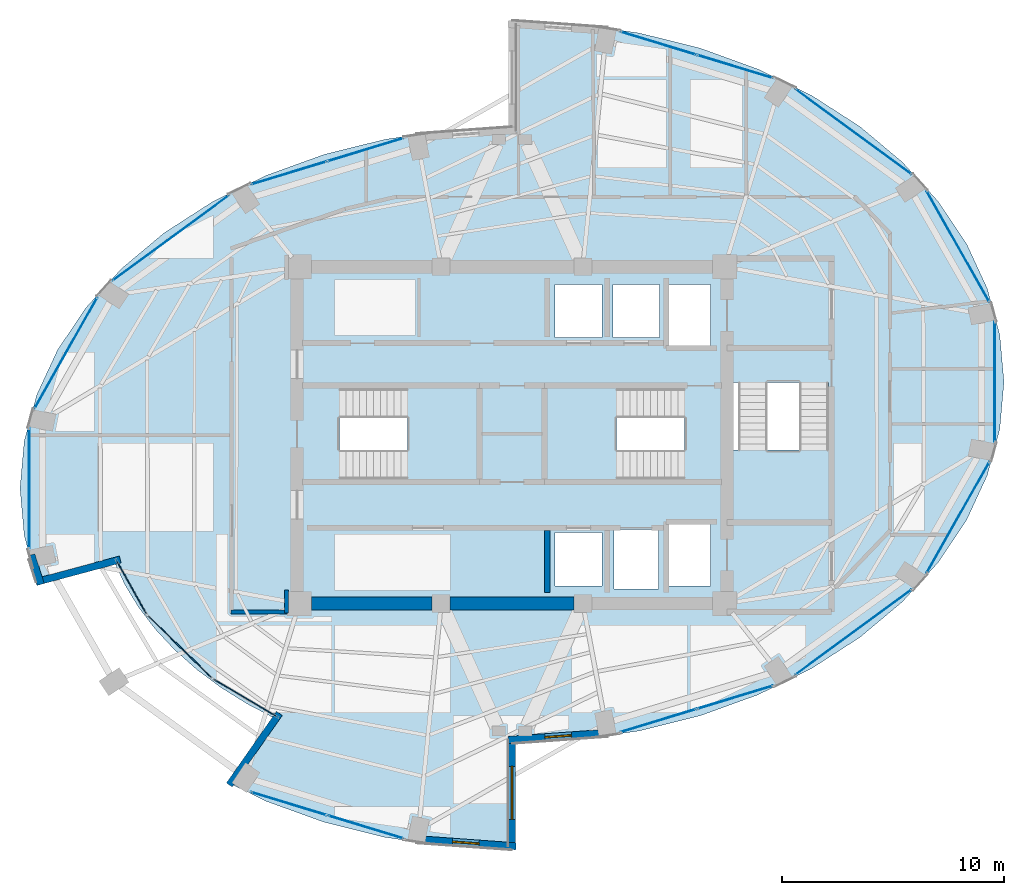
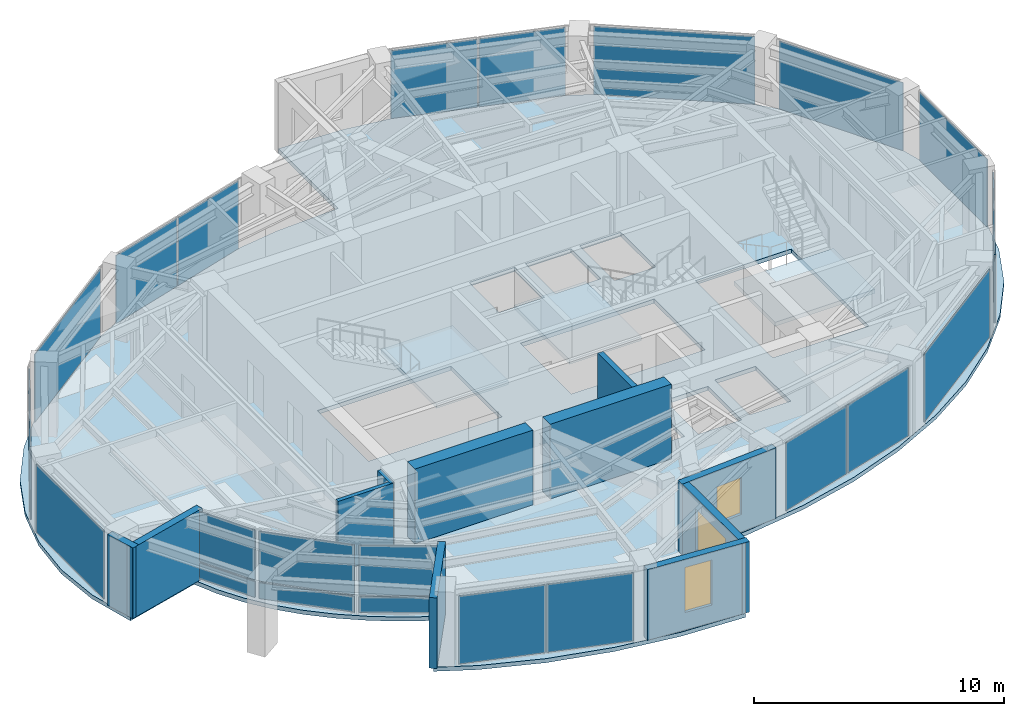
# One storey, part 17 of 22: 22 plates, 11 walls, 4 slabs, 3 windows, 3 openings, 18 elements without a shape of their own.
"""IFC4 building model written with IfcOpenShell, lengths in metres."""

from ifc_helpers import new_model, si_unit, direction, frame, frame_2d, origin, origin_2d, place, context, subcontext, project, spatial, polyline, rectangle, outline, extrude, material, layer, layer_set, type_object, element, fill, aggregate, save


model = new_model("IFC4")

# Units and contexts
model_context = context("Model", 3, precision=1e-05, world=origin(), true_north=direction((0.0, 1.0)))
body_context = subcontext(model_context, "Body", "Model", "MODEL_VIEW")
ifc_project = project(units=[si_unit("LENGTHUNIT", "METRE"), si_unit("AREAUNIT", "SQUARE_METRE"), si_unit("VOLUMEUNIT", "CUBIC_METRE"), si_unit("PLANEANGLEUNIT", "RADIAN"), si_unit("MASSUNIT", "GRAM", prefix="KILO")], contexts=[model_context])

# Site, building, storey
site_placement = place(None, origin())
site = spatial("IfcSite", under=ifc_project, at=site_placement, CompositionType="ELEMENT")
building_placement = place(site_placement, origin())
building = spatial("IfcBuilding", under=site, at=building_placement, Name="Lazwardi Medical Tower", CompositionType="ELEMENT")
storey_placement = place(building_placement, frame((0.0, 0.0, 224.01611328125)))
storey = spatial("IfcBuildingStorey", under=building, at=storey_placement, Name="L58", CompositionType="ELEMENT", Elevation=224.01611328125)

# Curtain wall, plates
ifc_material_1 = material(Name="Anodised bronze aluminium and solar control glazing", Category="aluminium")
ifc_layer_1 = layer(ifc_material_1, 0.18994140625)
ifc_layer_set_1 = layer_set([ifc_layer_1], Name="Anodised bronze aluminium and solar control glazing")
curtain_wall_type_1 = type_object("IfcCurtainWallType", Name="CW-SYS-04", PredefinedType="NOTDEFINED", material=ifc_layer_set_1)
curtain_wall_1_placement = place(storey_placement, origin())
curtain_wall_1 = element("IfcCurtainWall", 1, at=curtain_wall_1_placement, inside=storey, type_object=curtain_wall_type_1, Name="L58 Unitised bronze curtain wall CW-04", PredefinedType="NOTDEFINED")
ifc_material_2 = material(Name="Low-e bronze solar control double glazing", Category="glass")
ifc_layer_2 = layer(ifc_material_2, 0.035888671875)
ifc_layer_set_2 = layer_set([ifc_layer_2], Name="Low-e bronze solar control double glazing")
plate_type_1 = type_object("IfcPlateType", Name="PLT-GLZ-01", PredefinedType="CURTAIN_PANEL", material=ifc_layer_set_2)
plate_1_placement = place(storey_placement, frame((42.604736328125, 15.118896484375, 0.06494140625), z_axis=(0.0, 0.0, 1.0), x_axis=(0.956850126972, 0.290581889515, 0.0)))
plate_1 = element("IfcPlate", 2, at=plate_1_placement, type_object=plate_type_1, Name="CW-04 panel 1.1", PredefinedType="CURTAIN_PANEL", context=body_context, shape_type="SweptSolid", body=[
    extrude(rectangle(XDim=3.554443359375, YDim=0.035888671875, at=origin_2d()), origin(), (0.0, 0.0, 1.0), 3.318115234375),
])
plate_2_placement = place(storey_placement, frame((46.068115234375, 16.170654296875, 0.06494140625), z_axis=(0.0, 0.0, 1.0), x_axis=(0.956850126972, 0.290581889515, 0.0)))
plate_2 = element("IfcPlate", 3, at=plate_2_placement, type_object=plate_type_1, Name="CW-04 panel 2.1", PredefinedType="CURTAIN_PANEL", context=body_context, shape_type="SweptSolid", body=[
    extrude(rectangle(XDim=3.554443359375, YDim=0.035888671875, at=origin_2d()), origin(), (0.0, 0.0, 1.0), 3.318115234375),
])
aggregate(curtain_wall_1, [plate_1, plate_2])

# Curtain wall, plate
curtain_wall_2_placement = place(storey_placement, origin())
curtain_wall_2 = element("IfcCurtainWall", 4, at=curtain_wall_2_placement, inside=storey, type_object=curtain_wall_type_1, Name="L58 Unitised bronze curtain wall CW-04", PredefinedType="NOTDEFINED")
plate_3_placement = place(storey_placement, frame((51.403564453125, 19.106689453125, 0.06494140625), z_axis=(0.0, 0.0, 1.0), x_axis=(0.806474971121, 0.591268230971, 0.0)))
plate_3 = element("IfcPlate", 5, at=plate_3_placement, type_object=plate_type_1, Name="CW-04 panel 1.1", PredefinedType="CURTAIN_PANEL", context=body_context, shape_type="SweptSolid", body=[
    extrude(rectangle(XDim=6.502685546875, YDim=0.035888671875, at=origin_2d()), origin(), (0.0, 0.0, 1.0), 3.318115234375),
])
aggregate(curtain_wall_2, [plate_3])

curtain_wall_3_placement = place(storey_placement, origin())
curtain_wall_3 = element("IfcCurtainWall", 6, at=curtain_wall_3_placement, inside=storey, type_object=curtain_wall_type_1, Name="L58 Unitised bronze curtain wall CW-04", PredefinedType="NOTDEFINED")
plate_4_placement = place(storey_placement, frame((56.125732421875, 24.2880859375, 0.06494140625), z_axis=(0.0, 0.0, 1.0), x_axis=(0.491900474661, 0.870651436011, 0.0)))
plate_4 = element("IfcPlate", 7, at=plate_4_placement, type_object=plate_type_1, Name="CW-04 panel 1.1", PredefinedType="CURTAIN_PANEL", context=body_context, shape_type="SweptSolid", body=[
    extrude(rectangle(XDim=5.755126953125, YDim=0.035888671875, at=origin_2d()), origin(), (0.0, 0.0, 1.0), 3.318115234375),
])
aggregate(curtain_wall_3, [plate_4])

curtain_wall_4_placement = place(storey_placement, origin())
curtain_wall_4 = element("IfcCurtainWall", 8, at=curtain_wall_4_placement, inside=storey, type_object=curtain_wall_type_1, Name="L58 Unitised bronze curtain wall CW-04", PredefinedType="NOTDEFINED")
plate_5_placement = place(storey_placement, frame((57.7841796875, 30.39990234375, 0.06494140625), z_axis=(0.0, 0.0, 1.0), x_axis=(0.0, 1.0, 0.0)))
plate_5 = element("IfcPlate", 9, at=plate_5_placement, type_object=plate_type_1, Name="CW-04 panel 1.1", PredefinedType="CURTAIN_PANEL", context=body_context, shape_type="SweptSolid", body=[
    extrude(rectangle(XDim=5.416015625, YDim=0.035888671875, at=origin_2d()), origin(), (0.0, 0.0, 1.0), 3.318115234375),
])
aggregate(curtain_wall_4, [plate_5])

curtain_wall_5_placement = place(storey_placement, origin())
curtain_wall_5 = element("IfcCurtainWall", 10, at=curtain_wall_5_placement, inside=storey, type_object=curtain_wall_type_1, Name="L58 Unitised bronze curtain wall CW-04", PredefinedType="NOTDEFINED")
plate_6_placement = place(storey_placement, frame((56.125732421875, 36.511962890625, 0.06494140625), z_axis=(0.0, 0.0, 1.0), x_axis=(-0.491900474661, 0.870651436011, 0.0)))
plate_6 = element("IfcPlate", 11, at=plate_6_placement, type_object=plate_type_1, Name="CW-04 panel 1.1", PredefinedType="CURTAIN_PANEL", context=body_context, shape_type="SweptSolid", body=[
    extrude(rectangle(XDim=5.755126953125, YDim=0.035888671875, at=origin_2d()), origin(), (0.0, 0.0, 1.0), 3.318115234375),
])
aggregate(curtain_wall_5, [plate_6])

curtain_wall_6_placement = place(storey_placement, origin())
curtain_wall_6 = element("IfcCurtainWall", 12, at=curtain_wall_6_placement, inside=storey, type_object=curtain_wall_type_1, Name="L58 Unitised bronze curtain wall CW-04", PredefinedType="NOTDEFINED")
plate_7_placement = place(storey_placement, frame((51.403564453125, 41.693359375, 0.06494140625), z_axis=(0.0, 0.0, 1.0), x_axis=(-0.806474971121, 0.591268230971, 0.0)))
plate_7 = element("IfcPlate", 13, at=plate_7_placement, type_object=plate_type_1, Name="CW-04 panel 1.1", PredefinedType="CURTAIN_PANEL", context=body_context, shape_type="SweptSolid", body=[
    extrude(rectangle(XDim=6.502685546875, YDim=0.035888671875, at=origin_2d()), origin(), (0.0, 0.0, 1.0), 3.318115234375),
])
aggregate(curtain_wall_6, [plate_7])

# Curtain wall, plates
curtain_wall_7_placement = place(storey_placement, origin())
curtain_wall_7 = element("IfcCurtainWall", 14, at=curtain_wall_7_placement, inside=storey, type_object=curtain_wall_type_1, Name="L58 Unitised bronze curtain wall CW-04", PredefinedType="NOTDEFINED")
plate_8_placement = place(storey_placement, frame((46.068115234375, 44.62939453125, 0.06494140625), z_axis=(0.0, 0.0, 1.0), x_axis=(-0.956850126972, 0.290581889515, 0.0)))
plate_8 = element("IfcPlate", 15, at=plate_8_placement, type_object=plate_type_1, Name="CW-04 panel 1.1", PredefinedType="CURTAIN_PANEL", context=body_context, shape_type="SweptSolid", body=[
    extrude(rectangle(XDim=3.554443359375, YDim=0.035888671875, at=origin_2d()), origin(), (0.0, 0.0, 1.0), 3.318115234375),
])
plate_9_placement = place(storey_placement, frame((42.604736328125, 45.68115234375, 0.06494140625), z_axis=(0.0, 0.0, 1.0), x_axis=(-0.956850126972, 0.290581889515, 0.0)))
plate_9 = element("IfcPlate", 16, at=plate_9_placement, type_object=plate_type_1, Name="CW-04 panel 2.1", PredefinedType="CURTAIN_PANEL", context=body_context, shape_type="SweptSolid", body=[
    extrude(rectangle(XDim=3.554443359375, YDim=0.035888671875, at=origin_2d()), origin(), (0.0, 0.0, 1.0), 3.318115234375),
])
aggregate(curtain_wall_7, [plate_8, plate_9])

curtain_wall_8_placement = place(storey_placement, origin())
curtain_wall_8 = element("IfcCurtainWall", 17, at=curtain_wall_8_placement, inside=storey, type_object=curtain_wall_type_1, Name="L58 Unitised bronze curtain wall CW-04", PredefinedType="NOTDEFINED")
plate_10_placement = place(storey_placement, frame((29.395263671875, 40.881103515625, 0.06494140625), z_axis=(0.0, 0.0, 1.0), x_axis=(-0.956850126972, -0.290581889515, 0.0)))
plate_10 = element("IfcPlate", 18, at=plate_10_placement, type_object=plate_type_1, Name="CW-04 panel 1.1", PredefinedType="CURTAIN_PANEL", context=body_context, shape_type="SweptSolid", body=[
    extrude(rectangle(XDim=3.554443359375, YDim=0.035888671875, at=origin_2d()), origin(), (0.0, 0.0, 1.0), 3.318115234375),
])
plate_11_placement = place(storey_placement, frame((25.931884765625, 39.829345703125, 0.06494140625), z_axis=(0.0, 0.0, 1.0), x_axis=(-0.956850126972, -0.290581889515, 0.0)))
plate_11 = element("IfcPlate", 19, at=plate_11_placement, type_object=plate_type_1, Name="CW-04 panel 2.1", PredefinedType="CURTAIN_PANEL", context=body_context, shape_type="SweptSolid", body=[
    extrude(rectangle(XDim=3.554443359375, YDim=0.035888671875, at=origin_2d()), origin(), (0.0, 0.0, 1.0), 3.318115234375),
])
aggregate(curtain_wall_8, [plate_10, plate_11])

# Curtain wall, plate
curtain_wall_9_placement = place(storey_placement, origin())
curtain_wall_9 = element("IfcCurtainWall", 20, at=curtain_wall_9_placement, inside=storey, type_object=curtain_wall_type_1, Name="L58 Unitised bronze curtain wall CW-04", PredefinedType="NOTDEFINED")
plate_12_placement = place(storey_placement, frame((20.596435546875, 36.893310546875, 0.06494140625), z_axis=(0.0, 0.0, 1.0), x_axis=(-0.806474971121, -0.591268230971, 0.0)))
plate_12 = element("IfcPlate", 21, at=plate_12_placement, type_object=plate_type_1, Name="CW-04 panel 1.1", PredefinedType="CURTAIN_PANEL", context=body_context, shape_type="SweptSolid", body=[
    extrude(rectangle(XDim=6.502685546875, YDim=0.035888671875, at=origin_2d()), origin(), (0.0, 0.0, 1.0), 3.318115234375),
])
aggregate(curtain_wall_9, [plate_12])

curtain_wall_10_placement = place(storey_placement, origin())
curtain_wall_10 = element("IfcCurtainWall", 22, at=curtain_wall_10_placement, inside=storey, type_object=curtain_wall_type_1, Name="L58 Unitised bronze curtain wall CW-04", PredefinedType="NOTDEFINED")
plate_13_placement = place(storey_placement, frame((15.874267578125, 31.7119140625, 0.06494140625), z_axis=(0.0, 0.0, 1.0), x_axis=(-0.491900474661, -0.870651436011, 0.0)))
plate_13 = element("IfcPlate", 23, at=plate_13_placement, type_object=plate_type_1, Name="CW-04 panel 1.1", PredefinedType="CURTAIN_PANEL", context=body_context, shape_type="SweptSolid", body=[
    extrude(rectangle(XDim=5.755126953125, YDim=0.035888671875, at=origin_2d()), origin(), (0.0, 0.0, 1.0), 3.318115234375),
])
aggregate(curtain_wall_10, [plate_13])

curtain_wall_11_placement = place(storey_placement, origin())
curtain_wall_11 = element("IfcCurtainWall", 24, at=curtain_wall_11_placement, inside=storey, type_object=curtain_wall_type_1, Name="L58 Unitised bronze curtain wall CW-04", PredefinedType="NOTDEFINED")
plate_14_placement = place(storey_placement, frame((14.2158203125, 25.60009765625, 0.06494140625), z_axis=(0.0, 0.0, 1.0), x_axis=(0.0, -1.0, 0.0)))
plate_14 = element("IfcPlate", 25, at=plate_14_placement, type_object=plate_type_1, Name="CW-04 panel 1.1", PredefinedType="CURTAIN_PANEL", context=body_context, shape_type="SweptSolid", body=[
    extrude(rectangle(XDim=5.416015625, YDim=0.035888671875, at=origin_2d()), origin(), (0.0, 0.0, 1.0), 3.318115234375),
])
aggregate(curtain_wall_11, [plate_14])

# Curtain wall, plates
curtain_wall_12_placement = place(storey_placement, origin())
curtain_wall_12 = element("IfcCurtainWall", 26, at=curtain_wall_12_placement, inside=storey, type_object=curtain_wall_type_1, Name="L58 Unitised bronze curtain wall CW-04", PredefinedType="NOTDEFINED")
plate_15_placement = place(storey_placement, frame((25.931884765625, 11.37060546875, 0.06494140625), z_axis=(0.0, 0.0, 1.0), x_axis=(0.956850126972, -0.290581889515, 0.0)))
plate_15 = element("IfcPlate", 27, at=plate_15_placement, type_object=plate_type_1, Name="CW-04 panel 1.1", PredefinedType="CURTAIN_PANEL", context=body_context, shape_type="SweptSolid", body=[
    extrude(rectangle(XDim=3.554443359375, YDim=0.035888671875, at=origin_2d()), origin(), (0.0, 0.0, 1.0), 3.318115234375),
])
plate_16_placement = place(storey_placement, frame((29.395263671875, 10.31884765625, 0.06494140625), z_axis=(0.0, 0.0, 1.0), x_axis=(0.956850126972, -0.290581889515, 0.0)))
plate_16 = element("IfcPlate", 28, at=plate_16_placement, type_object=plate_type_1, Name="CW-04 panel 2.1", PredefinedType="CURTAIN_PANEL", context=body_context, shape_type="SweptSolid", body=[
    extrude(rectangle(XDim=3.554443359375, YDim=0.035888671875, at=origin_2d()), origin(), (0.0, 0.0, 1.0), 3.318115234375),
])
aggregate(curtain_wall_12, [plate_15, plate_16])

ifc_layer_3 = layer(ifc_material_1, 0.239990234375)
ifc_layer_set_3 = layer_set([ifc_layer_3], Name="Anodised bronze aluminium and solar control glazing")
curtain_wall_type_2 = type_object("IfcCurtainWallType", Name="CW-SYS-05", PredefinedType="NOTDEFINED", material=ifc_layer_set_3)
curtain_wall_13_placement = place(storey_placement, origin())
curtain_wall_13 = element("IfcCurtainWall", 29, at=curtain_wall_13_placement, inside=storey, type_object=curtain_wall_type_2, Name="L58 Unitised bronze curtain wall CW-05", PredefinedType="NOTDEFINED")
ifc_material_3 = material(Name="Laminated acoustic bronze double glazing", Category="glass")
ifc_layer_4 = layer(ifc_material_3, 0.0419921875)
ifc_layer_set_4 = layer_set([ifc_layer_4], Name="Laminated acoustic bronze double glazing")
plate_type_2 = type_object("IfcPlateType", Name="PLT-GLZ-02", PredefinedType="CURTAIN_PANEL", material=ifc_layer_set_4)
plate_17_placement = place(storey_placement, frame((18.842041015625, 21.116455078125, 0.0849609375), z_axis=(0.0, 0.0, 1.0), x_axis=(0.491175574998, -0.871060591765, 0.0)))
plate_17 = element("IfcPlate", 30, at=plate_17_placement, type_object=plate_type_2, Name="CW-05 panel 1.1", PredefinedType="CURTAIN_PANEL", context=body_context, shape_type="SweptSolid", body=[
    extrude(rectangle(XDim=2.648681640625, YDim=0.0419921875, at=origin_2d()), origin(), (0.0, 0.0, 1.0), 0.7724609375),
])
plate_18_placement = place(storey_placement, frame((18.842041015625, 21.116455078125, 0.9423828125), z_axis=(0.0, 0.0, 1.0), x_axis=(0.491175574998, -0.871060591765, 0.0)))
plate_18 = element("IfcPlate", 31, at=plate_18_placement, type_object=plate_type_2, Name="CW-05 panel 1.2", PredefinedType="CURTAIN_PANEL", context=body_context, shape_type="SweptSolid", body=[
    extrude(rectangle(XDim=2.648681640625, YDim=0.0419921875, at=origin_2d()), origin(), (0.0, 0.0, 1.0), 2.42041015625),
])
aggregate(curtain_wall_13, [plate_17, plate_18])

curtain_wall_14_placement = place(storey_placement, origin())
curtain_wall_14 = element("IfcCurtainWall", 32, at=curtain_wall_14_placement, inside=storey, type_object=curtain_wall_type_2, Name="L58 Unitised bronze curtain wall CW-05", PredefinedType="NOTDEFINED")
plate_19_placement = place(storey_placement, frame((23.9423828125, 16.15771484375, 0.0849609375), z_axis=(0.0, 0.0, 1.0), x_axis=(0.860604932232, -0.509273159137, 0.0)))
plate_19 = element("IfcPlate", 33, at=plate_19_placement, type_object=plate_type_2, Name="CW-05 panel 1.1", PredefinedType="CURTAIN_PANEL", context=body_context, shape_type="SweptSolid", body=[
    extrude(rectangle(XDim=3.218017578125, YDim=0.0419921875, at=origin_2d()), origin(), (0.0, 0.0, 1.0), 0.7724609375),
])
plate_20_placement = place(storey_placement, frame((23.9423828125, 16.15771484375, 0.9423828125), z_axis=(0.0, 0.0, 1.0), x_axis=(0.860604932232, -0.509273159137, 0.0)))
plate_20 = element("IfcPlate", 34, at=plate_20_placement, type_object=plate_type_2, Name="CW-05 panel 1.2", PredefinedType="CURTAIN_PANEL", context=body_context, shape_type="SweptSolid", body=[
    extrude(rectangle(XDim=3.218017578125, YDim=0.0419921875, at=origin_2d()), origin(), (0.0, 0.0, 1.0), 2.42041015625),
])
aggregate(curtain_wall_14, [plate_19, plate_20])

curtain_wall_15_placement = place(storey_placement, origin())
curtain_wall_15 = element("IfcCurtainWall", 35, at=curtain_wall_15_placement, inside=storey, type_object=curtain_wall_type_2, Name="L58 Unitised bronze curtain wall CW-05", PredefinedType="NOTDEFINED")
plate_21_placement = place(storey_placement, frame((21.009521484375, 18.45458984375, 0.0849609375), z_axis=(0.0, 0.0, 1.0), x_axis=(0.717012463225, -0.697060347158, 0.0)))
plate_21 = element("IfcPlate", 36, at=plate_21_placement, type_object=plate_type_2, Name="CW-05 panel 1.1", PredefinedType="CURTAIN_PANEL", context=body_context, shape_type="SweptSolid", body=[
    extrude(rectangle(XDim=3.94482421875, YDim=0.0419921875, at=origin_2d()), origin(), (0.0, 0.0, 1.0), 0.7724609375),
])
plate_22_placement = place(storey_placement, frame((21.009521484375, 18.45458984375, 0.9423828125), z_axis=(0.0, 0.0, 1.0), x_axis=(0.717012463225, -0.697060347158, 0.0)))
plate_22 = element("IfcPlate", 37, at=plate_22_placement, type_object=plate_type_2, Name="CW-05 panel 1.2", PredefinedType="CURTAIN_PANEL", context=body_context, shape_type="SweptSolid", body=[
    extrude(rectangle(XDim=3.94482421875, YDim=0.0419921875, at=origin_2d()), origin(), (0.0, 0.0, 1.0), 2.42041015625),
])
aggregate(curtain_wall_15, [plate_21, plate_22])

# Stair, slab
ifc_material_4 = material(Name="Concrete C45/55", Category="concrete")
stair_type = type_object("IfcStairType", Name="STR-WRD", PredefinedType="HALF_TURN_STAIR", material=ifc_material_4)
stair_1_placement = place(storey_placement, origin())
stair_1 = element("IfcStair", 38, at=stair_1_placement, inside=storey, type_object=stair_type, Name="L58 Protected Exit Stair ST1", PredefinedType="HALF_TURN_STAIR")
ifc_layer_5 = layer(ifc_material_4, 0.199951171875)
ifc_layer_set_5 = layer_set([ifc_layer_5], Name="Concrete C45/55")
slab_type_1 = type_object("IfcSlabType", Name="SLB-LND-190", PredefinedType="LANDING", material=ifc_layer_set_5)
slab_1_placement = place(storey_placement, frame((0.0, 0.0, 1.623779296875)))
slab_1 = element("IfcSlab", 39, at=slab_1_placement, type_object=slab_type_1, Name="ST1 landing 1", PredefinedType="LANDING", context=body_context, shape_type="SweptSolid", body=[
    extrude(outline(polyline([(31.27490234375, 25.840087890625), (34.580078125, 25.840087890625), (34.580078125, 30.280029296875), (31.27490234375, 30.280029296875), (31.27490234375, 25.840087890625)])), origin(), (0.0, 0.0, 1.0), 0.2001953125),
])
aggregate(stair_1, [slab_1])

stair_2_placement = place(storey_placement, origin())
stair_2 = element("IfcStair", 40, at=stair_2_placement, inside=storey, type_object=stair_type, Name="L58 Protected Exit Stair ST2", PredefinedType="HALF_TURN_STAIR")
slab_2_placement = place(storey_placement, frame((0.0, 0.0, 1.623779296875)))
slab_2 = element("IfcSlab", 41, at=slab_2_placement, type_object=slab_type_1, Name="ST2 landing 1", PredefinedType="LANDING", context=body_context, shape_type="SweptSolid", body=[
    extrude(outline(polyline([(40.72509765625, 30.280029296875), (37.419921875, 30.280029296875), (37.419921875, 25.840087890625), (40.72509765625, 25.840087890625), (40.72509765625, 30.280029296875)])), origin(), (0.0, 0.0, 1.0), 0.2001953125),
])
aggregate(stair_2, [slab_2])

stair_3_placement = place(storey_placement, origin())
stair_3 = element("IfcStair", 42, at=stair_3_placement, inside=storey, type_object=stair_type, Name="L58 Protected Exit Stair ST3", PredefinedType="HALF_TURN_STAIR")
slab_3_placement = place(storey_placement, frame((0.0, 0.0, 1.623779296875)))
slab_3 = element("IfcSlab", 43, at=slab_3_placement, type_object=slab_type_1, Name="ST3 landing 1", PredefinedType="LANDING", context=body_context, shape_type="SweptSolid", body=[
    extrude(outline(polyline([(45.860107421875, 27.324951171875), (45.860107421875, 24.02001953125), (50.4599609375, 24.02001953125), (50.4599609375, 27.324951171875), (45.860107421875, 27.324951171875)])), origin(), (0.0, 0.0, 1.0), 0.2001953125),
])
aggregate(stair_3, [slab_3])

# Slab
ifc_material_5 = material(Name="Concrete C50/60", Category="concrete")
ifc_layer_6 = layer(ifc_material_5, 0.199951171875)
ifc_layer_set_6 = layer_set([ifc_layer_6], Name="Concrete C50/60")
slab_type_2 = type_object("IfcSlabType", Name="SLB-UPP-200", PredefinedType="FLOOR", material=ifc_layer_set_6)
slab_4_placement = place(storey_placement, frame((0.0, 0.0, -0.2001953125)))
element("IfcSlab", 44, at=slab_4_placement, inside=storey, type_object=slab_type_2, Name="Structural floor slab SF-04 L58", PredefinedType="FLOOR", context=body_context, shape_type="SweptSolid", body=[
    extrude(outline(polyline([(22.485595703125, 38.53173828125), (20.30224609375, 37.125732421875), (18.3876953125, 35.522705078125), (16.774169921875, 33.75), (15.489990234375, 31.837646484375), (14.556396484375, 29.81884765625), (13.989990234375, 27.7275390625), (13.800048828125, 25.60009765625), (13.989990234375, 23.472412109375), (14.55517578125, 21.385986328125), (14.55517578125, 21.385986328125), (18.032470703125, 22.31787109375), (18.032958984375, 22.31787109375), (18.033447265625, 22.318115234375), (18.033935546875, 22.318115234375), (18.034423828125, 22.318115234375), (18.034912109375, 22.31787109375), (18.035400390625, 22.317626953125), (18.035888671875, 22.3173828125), (18.036376953125, 22.3173828125), (18.036865234375, 22.31689453125), (18.037109375, 22.316650390625), (18.03759765625, 22.31640625), (18.037841796875, 22.31591796875), (18.0380859375, 22.3154296875), (18.038330078125, 22.315185546875), (18.526123046875, 21.2587890625), (19.146728515625, 20.235595703125), (19.895751953125, 19.253173828125), (20.767333984375, 18.319091796875), (21.7548828125, 17.4404296875), (22.8505859375, 16.623779296875), (24.046630859375, 15.87548828125), (25.333740234375, 15.201171875), (25.334228515625, 15.200927734375), (25.334716796875, 15.20068359375), (25.3349609375, 15.2001953125), (25.33544921875, 15.199951171875), (25.335693359375, 15.19970703125), (25.3359375, 15.19921875), (25.336181640625, 15.19873046875), (25.336181640625, 15.1982421875), (25.33642578125, 15.19775390625), (25.33642578125, 15.197265625), (25.33642578125, 15.19677734375), (25.33642578125, 15.1962890625), (25.33642578125, 15.19580078125), (25.336181640625, 15.1953125), (25.336181640625, 15.19482421875), (25.3359375, 15.1943359375), (25.335693359375, 15.19384765625), (23.29052734375, 12.273193359375), (24.89990234375, 11.48388671875), (27.50439453125, 10.540771484375), (30.254150390625, 9.85546875), (33.102294921875, 9.439453125), (36.0, 9.300048828125), (36.0, 14.10009765625), (38.897705078125, 14.239501953125), (41.745849609375, 14.655517578125), (44.49560546875, 15.3408203125), (47.10009765625, 16.28369140625), (49.514404296875, 17.46826171875), (51.69775390625, 18.874267578125), (53.6123046875, 20.477294921875), (55.225830078125, 22.25), (56.510009765625, 24.162353515625), (57.443603515625, 26.18115234375), (58.010009765625, 28.2724609375), (58.199951171875, 30.39990234375), (58.010009765625, 32.527587890625), (57.443603515625, 34.618896484375), (56.510009765625, 36.6376953125), (55.225830078125, 38.550048828125), (53.6123046875, 40.32275390625), (51.69775390625, 41.92578125), (49.514404296875, 43.331787109375), (47.10009765625, 44.51611328125), (44.49560546875, 45.459228515625), (41.745849609375, 46.14453125), (38.897705078125, 46.560546875), (36.0, 46.699951171875), (36.0, 41.89990234375), (33.102294921875, 41.760498046875), (30.254150390625, 41.344482421875), (27.50439453125, 40.6591796875), (24.89990234375, 39.71630859375), (22.485595703125, 38.53173828125)]), holes=[polyline([(28.22509765625, 26.02001953125), (28.22509765625, 30.10009765625), (34.39990234375, 30.10009765625), (34.39990234375, 26.02001953125), (28.22509765625, 26.02001953125)]), polyline([(37.60009765625, 30.10009765625), (43.77490234375, 30.10009765625), (43.77490234375, 26.02001953125), (37.60009765625, 26.02001953125), (37.60009765625, 30.10009765625)]), polyline([(50.280029296875, 30.375), (50.280029296875, 24.179931640625), (45.840087890625, 24.179931640625), (45.840087890625, 30.375), (50.280029296875, 30.375)]), polyline([(40.050048828125, 32.39990234375), (37.949951171875, 32.39990234375), (37.949951171875, 34.800048828125), (40.050048828125, 34.800048828125), (40.050048828125, 32.39990234375)]), polyline([(40.550048828125, 32.39990234375), (40.550048828125, 34.800048828125), (42.64990234375, 34.800048828125), (42.64990234375, 32.39990234375), (40.550048828125, 32.39990234375)]), polyline([(37.949951171875, 23.60009765625), (40.050048828125, 23.60009765625), (40.050048828125, 21.199951171875), (37.949951171875, 21.199951171875), (37.949951171875, 23.60009765625)]), polyline([(44.949951171875, 34.800048828125), (44.949951171875, 32.0), (43.050048828125, 32.0), (43.050048828125, 34.800048828125), (44.949951171875, 34.800048828125)]), polyline([(44.949951171875, 21.199951171875), (43.050048828125, 21.199951171875), (43.050048828125, 24.0), (44.949951171875, 24.0), (44.949951171875, 21.199951171875)]), polyline([(40.60009765625, 21.050048828125), (40.60009765625, 23.75), (42.60009765625, 23.75), (42.60009765625, 21.050048828125), (40.60009765625, 21.050048828125)])]), origin(), (0.0, 0.0, 1.0), 0.2001953125),
])

# Walls
ifc_material_6 = material(Name="Fire-rated gypsum board on steel stud", Category="steel")
ifc_layer_7 = layer(ifc_material_6, 0.179931640625)
ifc_layer_set_7 = layer_set([ifc_layer_7], Name="Fire-rated gypsum board on steel stud")
wall_type_1 = type_object("IfcWallType", Name="WL-COR-180", PredefinedType="PARTITIONING", material=ifc_layer_set_7)
wall_1_placement = place(storey_placement, frame((25.830078125, 21.010009765625, 0.0), z_axis=(0.0, 0.0, 1.0), x_axis=(0.0, -1.0, 0.0)))
element("IfcWall", 45, at=wall_1_placement, inside=storey, type_object=wall_type_1, Name="L58 Corridor partition 8", PredefinedType="PARTITIONING", context=body_context, shape_type="SweptSolid", body=[
    extrude(rectangle(XDim=1.030029296875, YDim=0.179931640625, at=frame_2d((0.51513671875, 0.0))), origin(), (0.0, 0.0, 1.0), 3.447998046875),
])
wall_2_placement = place(storey_placement, frame((25.8701171875, 20.02001953125, 0.0), z_axis=(0.0, 0.0, 1.0), x_axis=(-1.0, 0.0, 0.0)))
element("IfcWall", 46, at=wall_2_placement, inside=storey, type_object=wall_type_1, Name="L58 Corridor partition 9", PredefinedType="PARTITIONING", context=body_context, shape_type="SweptSolid", body=[
    extrude(rectangle(XDim=2.56005859375, YDim=0.179931640625, at=frame_2d((1.280029296875, 0.0))), origin(), (0.0, 0.0, 1.0), 3.447998046875),
])
ifc_material_7 = material(Name="Concrete C60/75", Category="concrete")
ifc_layer_8 = layer(ifc_material_7, 0.60009765625)
ifc_layer_set_8 = layer_set([ifc_layer_8], Name="Concrete C60/75")
wall_type_2 = type_object("IfcWallType", Name="WL-CORE-600", PredefinedType="SHEAR", material=ifc_layer_set_8)
wall_3_placement = place(storey_placement, frame((26.949951171875, 20.39990234375, 0.0), z_axis=(0.0, 0.0, 1.0), x_axis=(1.0, 0.0, 0.0)))
element("IfcWall", 47, at=wall_3_placement, inside=storey, type_object=wall_type_2, Name="Core wall CW-S3 S1 L58", PredefinedType="SHEAR", context=body_context, shape_type="SweptSolid", body=[
    extrude(rectangle(XDim=5.449951171875, YDim=0.60009765625, at=frame_2d((2.72509765625, 0.0))), origin(), (0.0, 0.0, 1.0), 3.64794921875),
])
wall_4_placement = place(storey_placement, frame((33.199951171875, 20.39990234375, 0.0), z_axis=(0.0, 0.0, 1.0), x_axis=(1.0, 0.0, 0.0)))
element("IfcWall", 48, at=wall_4_placement, inside=storey, type_object=wall_type_2, Name="Core wall CW-S3 S2 L58", PredefinedType="SHEAR", context=body_context, shape_type="SweptSolid", body=[
    extrude(rectangle(XDim=5.60009765625, YDim=0.60009765625, at=frame_2d((2.800048828125, 0.0))), origin(), (0.0, 0.0, 1.0), 3.64794921875),
])

# Wall, opening, window
ifc_material_8 = material(Name="Precast concrete C45/55", Category="concrete")
ifc_layer_9 = layer(ifc_material_8, 0.320068359375)
ifc_layer_set_9 = layer_set([ifc_layer_9], Name="Precast concrete C45/55")
wall_type_3 = type_object("IfcWallType", Name="WL-IWAN-320", PredefinedType="SOLIDWALL", material=ifc_layer_set_9)
wall_5_placement = place(storey_placement, frame((35.820556640625, 14.2470703125, 0.0), z_axis=(0.0, 0.0, 1.0), x_axis=(0.997409061056, 0.071938619141, 0.0)))
wall_5 = element("IfcWall", 49, at=wall_5_placement, inside=storey, type_object=wall_type_3, Name="L58 Iwan Portal Return Wall SE_ret", PredefinedType="SOLIDWALL", context=body_context, shape_type="SweptSolid", body=[
    extrude(rectangle(XDim=4.540771484375, YDim=0.320068359375, at=frame_2d((2.2705078125, 0.0))), origin(), (0.0, 0.0, 1.0), 3.447998046875),
])
opening_1_placement = place(wall_5_placement, frame((1.67041015625, 0.0, 0.85009765625)))
opening_1 = element("IfcOpeningElement", 50, at=opening_1_placement, cuts=wall_5, Name="Opening WN-04", PredefinedType="OPENING", context=body_context, shape_type="SweptSolid", body=[
    extrude(rectangle(XDim=1.199951171875, YDim=1.800048828125, at=frame_2d((0.60009765625, 0.89990234375))), frame((0.0, 0.169921875, 0.0), z_axis=(0.0, -1.0, 0.0), x_axis=(1.0, 0.0, 0.0)), (0.0, 0.0, 1.0), 0.340087890625),
])
window_type_1 = type_object("IfcWindowType", Name="WIN-DRUM-1200", PartitioningType="SINGLE_PANEL", PredefinedType="WINDOW", material=ifc_material_2)
window_1_placement = place(opening_1_placement, origin())
window_1 = element("IfcWindow", 51, at=window_1_placement, inside=storey, type_object=window_type_1, Name="L58 Iwan Slot Window SE_ret", OverallHeight=1.800048828125, OverallWidth=1.199951171875, PartitioningType="SINGLE_PANEL", PredefinedType="WINDOW", context=body_context, shape_type="SweptSolid", body=[
    extrude(rectangle(XDim=1.199951171875, YDim=1.800048828125, at=frame_2d((0.60009765625, 0.89990234375))), frame((0.0, 0.030029296875, 0.0), z_axis=(0.0, -1.0, 0.0), x_axis=(1.0, 0.0, 0.0)), (0.0, 0.0, 1.0), 0.06005859375),
])
fill(opening_1, window_1)

wall_6_placement = place(storey_placement, frame((31.650390625, 9.773681640625, 0.0), z_axis=(0.0, 0.0, 1.0), x_axis=(0.997408782787, -0.071942477163, 0.0)))
wall_6 = element("IfcWall", 52, at=wall_6_placement, inside=storey, type_object=wall_type_3, Name="L58 Iwan Portal Return Wall SW_ret", PredefinedType="SOLIDWALL", context=body_context, shape_type="SweptSolid", body=[
    extrude(rectangle(XDim=4.54052734375, YDim=0.320068359375, at=frame_2d((2.270263671875, 0.0))), origin(), (0.0, 0.0, 1.0), 3.447998046875),
])
opening_2_placement = place(wall_6_placement, frame((1.67041015625, 0.0, 0.85009765625)))
opening_2 = element("IfcOpeningElement", 53, at=opening_2_placement, cuts=wall_6, Name="Opening WN-01", PredefinedType="OPENING", context=body_context, shape_type="SweptSolid", body=[
    extrude(rectangle(XDim=1.199951171875, YDim=2.199951171875, at=frame_2d((0.60009765625, 1.10009765625))), frame((0.0, 0.169921875, 0.0), z_axis=(0.0, -1.0, 0.0), x_axis=(1.0, 0.0, 0.0)), (0.0, 0.0, 1.0), 0.340087890625),
])
window_type_2 = type_object("IfcWindowType", Name="WIN-IW-1200", PartitioningType="SINGLE_PANEL", PredefinedType="WINDOW", material=ifc_material_2)
window_2_placement = place(opening_2_placement, origin())
window_2 = element("IfcWindow", 54, at=window_2_placement, inside=storey, type_object=window_type_2, Name="L58 Iwan Slot Window SW_ret", OverallHeight=2.199951171875, OverallWidth=1.199951171875, PartitioningType="SINGLE_PANEL", PredefinedType="WINDOW", context=body_context, shape_type="SweptSolid", body=[
    extrude(rectangle(XDim=1.199951171875, YDim=2.199951171875, at=frame_2d((0.60009765625, 1.10009765625))), frame((0.0, 0.030029296875, 0.0), z_axis=(0.0, -1.0, 0.0), x_axis=(1.0, 0.0, 0.0)), (0.0, 0.0, 1.0), 0.06005859375),
])
fill(opening_2, window_2)

wall_7_placement = place(storey_placement, frame((36.0, 9.300048828125, 0.0), z_axis=(0.0, 0.0, 1.0), x_axis=(0.0, 1.0, 0.0)))
wall_7 = element("IfcWall", 55, at=wall_7_placement, inside=storey, type_object=wall_type_3, Name="L58 Turquoise Tilework Iwan Seam Wall S_seam", PredefinedType="SOLIDWALL", context=body_context, shape_type="SweptSolid", body=[
    extrude(rectangle(XDim=5.119873046875, YDim=0.320068359375, at=frame_2d((2.56005859375, 0.0))), origin(), (0.0, 0.0, 1.0), 3.447998046875),
])
opening_3_placement = place(wall_7_placement, frame((1.360107421875, 0.0, 0.840087890625)))
opening_3 = element("IfcOpeningElement", 56, at=opening_3_placement, cuts=wall_7, Name="Opening WN-02", PredefinedType="OPENING", context=body_context, shape_type="SweptSolid", body=[
    extrude(rectangle(XDim=2.39990234375, YDim=2.0400390625, at=frame_2d((1.199951171875, 1.02001953125))), frame((0.0, 0.169921875, 0.0), z_axis=(0.0, -1.0, 0.0), x_axis=(1.0, 0.0, 0.0)), (0.0, 0.0, 1.0), 0.340087890625),
])
window_type_3 = type_object("IfcWindowType", Name="WIN-IW-2400", PartitioningType="SINGLE_PANEL", PredefinedType="WINDOW", material=ifc_material_2)
window_3_placement = place(opening_3_placement, origin())
window_3 = element("IfcWindow", 57, at=window_3_placement, inside=storey, type_object=window_type_3, Name="L58 Iwan Seam Window S_seam", OverallHeight=2.0400390625, OverallWidth=2.39990234375, PartitioningType="SINGLE_PANEL", PredefinedType="WINDOW", context=body_context, shape_type="SweptSolid", body=[
    extrude(rectangle(XDim=2.39990234375, YDim=2.0400390625, at=frame_2d((1.199951171875, 1.02001953125))), frame((0.0, 0.030029296875, 0.0), z_axis=(0.0, -1.0, 0.0), x_axis=(1.0, 0.0, 0.0)), (0.0, 0.0, 1.0), 0.06005859375),
])
fill(opening_3, window_3)

# Walls
for number, where, z_axis, x_axis, name in (
    (58, (14.517822265625, 21.370849609375, 0.0), (0.0, 0.0, 1.0), (0.965922604174, 0.258831069902, 0.0), "L58 Sky Garden SG4 Flank Wall S0"),
    (59, (23.24365234375, 12.215087890625, 0.0), (0.0, 0.0, 1.0), (0.573616208731, 0.81912419393, 0.0), "L58 Sky Garden SG4 Flank Wall S1"),
):
    element("IfcWall", number, at=place(storey_placement, frame(where, z_axis=z_axis, x_axis=x_axis)), inside=storey, type_object=wall_type_3, Name=name, PredefinedType="SOLIDWALL", context=body_context, shape_type="SweptSolid", body=[
        extrude(rectangle(XDim=3.93994140625, YDim=0.320068359375, at=frame_2d((1.969970703125, 0.0))), origin(), (0.0, 0.0, 1.0), 3.447998046875),
    ])
wall_8_placement = place(storey_placement, frame((14.3154296875, 22.599853515625, 0.0), z_axis=(0.0, 0.0, 1.0), x_axis=(0.303232429921, -0.952916624603, 0.0)))
element("IfcWall", 60, at=wall_8_placement, inside=storey, type_object=wall_type_3, Name="L58 Sky Garden SG4 Jamb Return Wall", PredefinedType="SOLIDWALL", context=body_context, shape_type="SweptSolid", body=[
    extrude(rectangle(XDim=1.40087890625, YDim=0.320068359375, at=frame_2d((0.700439453125, 0.0))), origin(), (0.0, 0.0, 1.0), 3.447998046875),
])
ifc_material_9 = material(Name="Autoclaved aerated concrete blockwork", Category="masonry")
ifc_layer_10 = layer(ifc_material_9, 0.25)
ifc_layer_set_10 = layer_set([ifc_layer_10], Name="Autoclaved aerated concrete blockwork")
wall_type_4 = type_object("IfcWallType", Name="WL-SHAFT-250", PredefinedType="SOLIDWALL", material=ifc_layer_set_10)
wall_9_placement = place(storey_placement, frame((37.60009765625, 20.89990234375, 0.0), z_axis=(0.0, 0.0, 1.0), x_axis=(0.0, 1.0, 0.0)))
element("IfcWall", 61, at=wall_9_placement, inside=storey, type_object=wall_type_4, Name="L58 South hoistway divider", PredefinedType="SOLIDWALL", context=body_context, shape_type="SweptSolid", body=[
    extrude(rectangle(XDim=2.800048828125, YDim=0.25, at=frame_2d((1.39990234375, 0.0))), origin(), (0.0, 0.0, 1.0), 3.447998046875),
])

save(model, "model.ifc")
